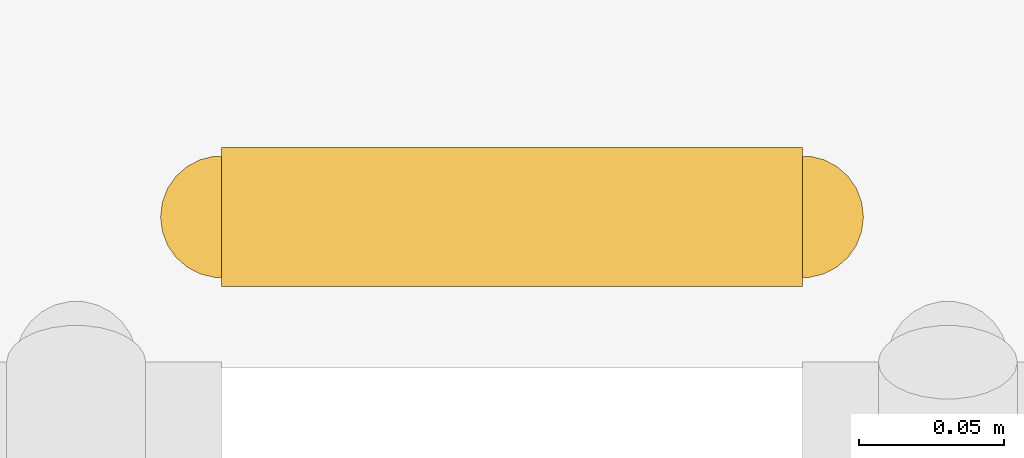
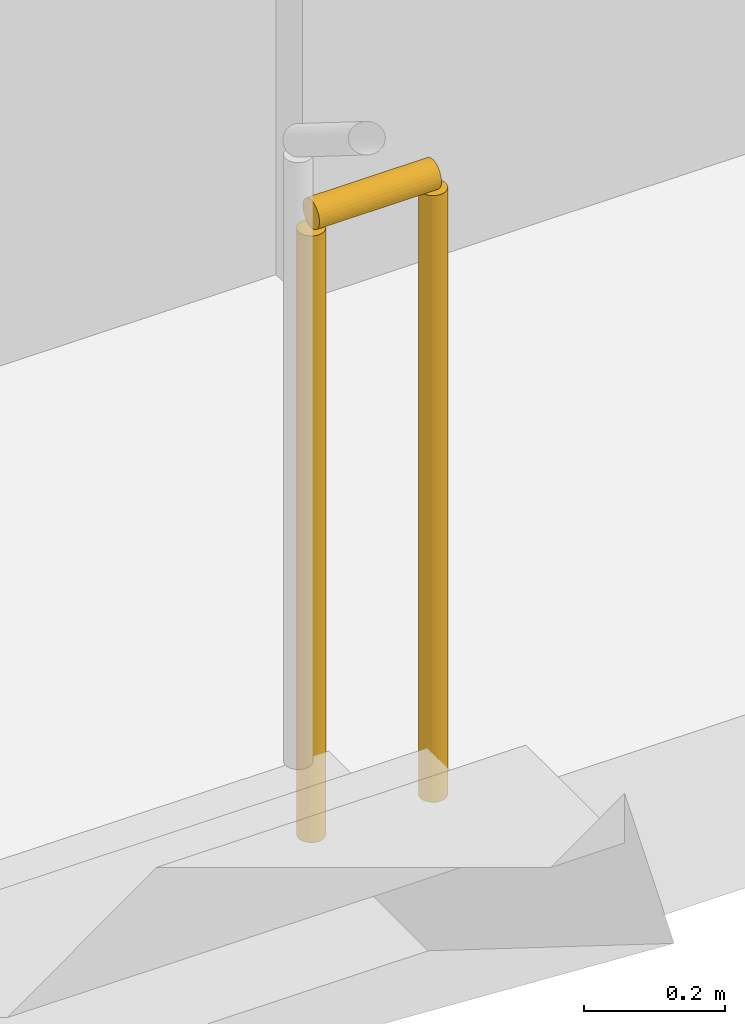
# One storey, part 19 of 21: 1 railing.
"""IFC4 building model written with IfcOpenShell, lengths in metres."""

from ifc_helpers import new_model, si_unit, direction, frame, origin, origin_2d, place, context, subcontext, project, spatial, circle, extrude, material, type_object, element, save


model = new_model("IFC4")

# Units and contexts
model_context = context("Model", 3, precision=1e-05, world=origin(), true_north=direction((0.0, 1.0)))
body_context = subcontext(model_context, "Body", "Model", "MODEL_VIEW")
ifc_project = project(units=[si_unit("LENGTHUNIT", "METRE"), si_unit("AREAUNIT", "SQUARE_METRE"), si_unit("VOLUMEUNIT", "CUBIC_METRE"), si_unit("PLANEANGLEUNIT", "RADIAN"), si_unit("MASSUNIT", "GRAM", prefix="KILO")], contexts=[model_context])

# Site, building, storey
site_placement = place(None, origin())
site = spatial("IfcSite", under=ifc_project, at=site_placement, CompositionType="ELEMENT")
building_placement = place(site_placement, origin())
building = spatial("IfcBuilding", under=site, at=building_placement, Name="Kiln Ring Residences", CompositionType="ELEMENT")
storey_placement = place(building_placement, frame((0.0, 0.0, 100.800048828125)))
storey = spatial("IfcBuildingStorey", under=building, at=storey_placement, Name="L25", CompositionType="ELEMENT", Elevation=100.800048828125)

# Railing
ifc_material = material(Name="Stainless steel", Category="steel")
railing_type = type_object("IfcRailingType", Name="CORE-STAIR-GUARD", PredefinedType="GUARDRAIL", material=ifc_material)
railing_placement = place(storey_placement, frame((-22.199951171875, 8.449951171875, 0.0)))
element("IfcRailing", 1, at=railing_placement, inside=storey, type_object=railing_type, Name="L25 W-STN stair guard 4", PredefinedType="GUARDRAIL", context=body_context, shape_type="SweptSolid", body=[
    extrude(circle(Radius=0.02392578125, at=origin_2d()), frame((0.0, 0.0, 1.076171875), z_axis=(1.0, 0.0, 0.0), x_axis=(0.0, 1.0, 0.0)), (0.0, 0.0, 1.0), 0.199951171875),
    extrude(circle(Radius=0.02099609375, at=origin_2d()), origin(), (0.0, 0.0, 1.0), 1.052001953125),
    extrude(circle(Radius=0.02099609375, at=origin_2d()), frame((0.199951171875, 0.0, 0.0)), (0.0, 0.0, 1.0), 1.052001953125),
])

save(model, "model.ifc")
